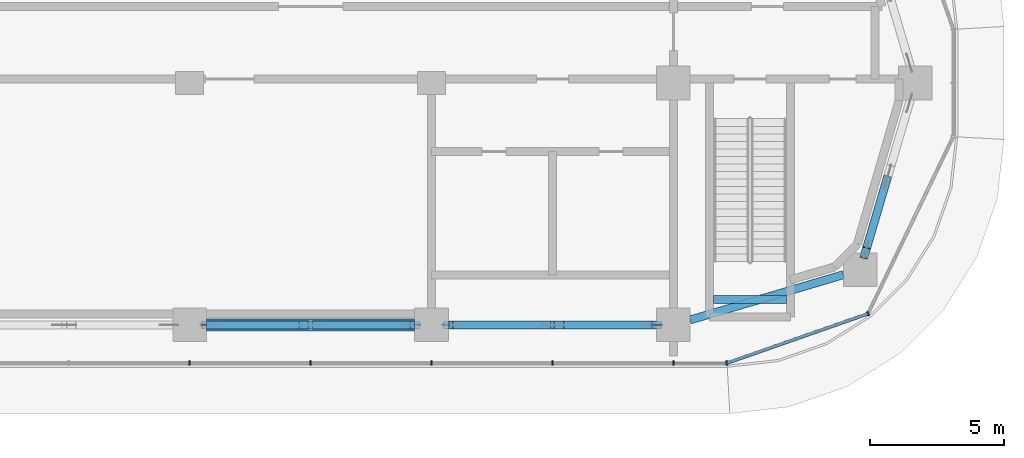
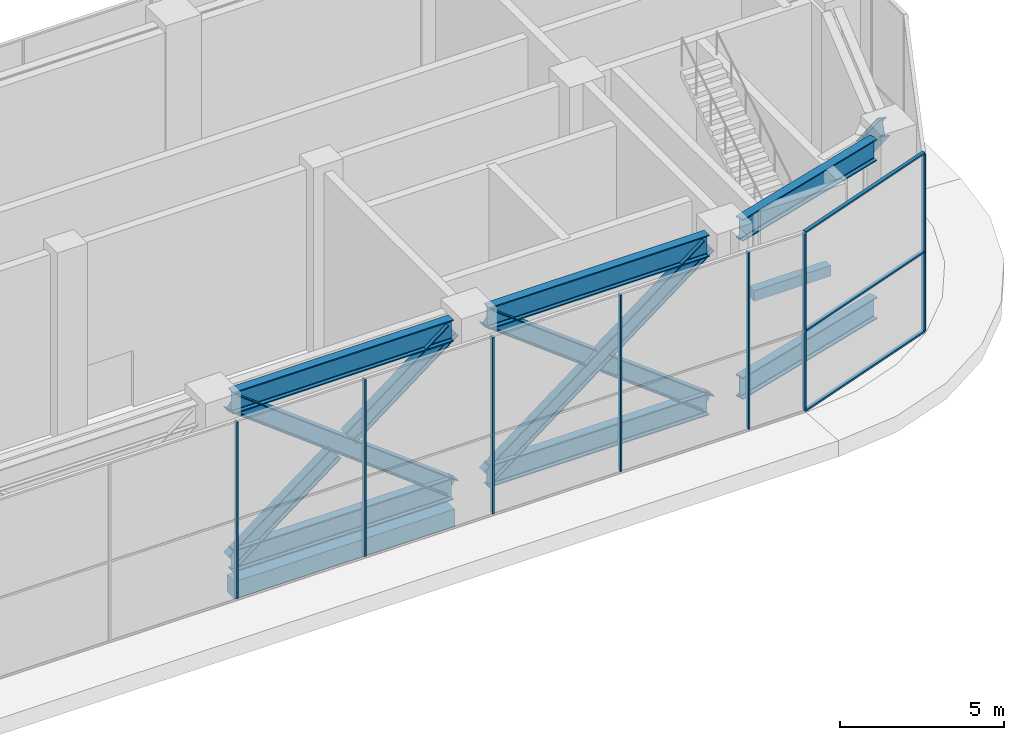
# One storey, part 7 of 35: 23 members, 2 beams, 2 elements without a shape of their own.
"""IFC4 building model written with IfcOpenShell, lengths in metres."""

from ifc_helpers import new_model, si_unit, direction, frame, origin, origin_2d, place, context, subcontext, project, spatial, rectangle, i_section, extrude, material, material_profile, profile_set, type_object, element, aggregate, save


model = new_model("IFC4")

# Units and contexts
model_context = context("Model", 3, precision=1e-05, world=origin(), true_north=direction((0.0, 1.0)))
body_context = subcontext(model_context, "Body", "Model", "MODEL_VIEW")
ifc_project = project(units=[si_unit("LENGTHUNIT", "METRE"), si_unit("AREAUNIT", "SQUARE_METRE"), si_unit("VOLUMEUNIT", "CUBIC_METRE"), si_unit("PLANEANGLEUNIT", "RADIAN"), si_unit("MASSUNIT", "GRAM", prefix="KILO")], contexts=[model_context])

# Site, building, storey
site_placement = place(None, origin())
site = spatial("IfcSite", under=ifc_project, at=site_placement, CompositionType="ELEMENT")
building_placement = place(site_placement, origin())
building = spatial("IfcBuilding", under=site, at=building_placement, Name="Ogive Portal Towers", CompositionType="ELEMENT")
storey_placement = place(building_placement, frame((0.0, 0.0, 135.199951171875)))
storey = spatial("IfcBuildingStorey", under=building, at=storey_placement, Name="L33", CompositionType="ELEMENT", Elevation=135.199951171875)

# Beam
ifc_material_1 = material(Name="Concrete C40/50", Category="concrete")
ifc_material_profile_1 = material_profile(ifc_material_1, rectangle(XDim=0.300048828125, YDim=0.39990234375, at=origin_2d()), Name="RC 300x400")
ifc_profile_set_1 = profile_set([ifc_material_profile_1], Name="Concrete C40/50")
beam_type_1 = type_object("IfcBeamType", Name="BEAM RC 300x400", PredefinedType="BEAM", material=ifc_profile_set_1)
beam_1_placement = place(storey_placement, frame((87.0, 22.449951171875, 3.10009765625), z_axis=(1.0, 0.0, 0.0), x_axis=(0.0, 1.0, 0.0)))
element("IfcBeam", 1, at=beam_1_placement, inside=storey, type_object=beam_type_1, Name="Landing beam L33", PredefinedType="BEAM", context=body_context, shape_type="SweptSolid", body=[
    extrude(rectangle(XDim=0.300048828125, YDim=0.39990234375, at=origin_2d()), origin(), (0.0, 0.0, 1.0), 2.699951171875),
])

# Members
ifc_material_2 = material(Name="Steel S355", Category="steel")
ifc_material_profile_2 = material_profile(ifc_material_2, i_section(OverallWidth=0.300048828125, OverallDepth=0.60009765625, WebThickness=0.015380859375, FlangeThickness=0.030029296875, FilletRadius=0.027099609375, at=origin_2d()), Name="HEB 600")
ifc_profile_set_2 = profile_set([ifc_material_profile_2], Name="Steel S355")
member_type_1 = type_object("IfcMemberType", Name="BRACE HEB 600", PredefinedType="BRACE", material=ifc_profile_set_2)
member_1_placement = place(storey_placement, frame((68.125, 21.5, 6.29296875), z_axis=(0.796360836966, 0.0, -0.604821806276), x_axis=(0.0, 1.0, 0.0)))
element("IfcMember", 2, at=member_1_placement, inside=storey, type_object=member_type_1, Name="Belt truss diagonal", PredefinedType="BRACE", context=body_context, shape_type="SweptSolid", body=[
    extrude(i_section(OverallWidth=0.300048828125, OverallDepth=0.60009765625, WebThickness=0.015380859375, FlangeThickness=0.030029296875, FilletRadius=0.027099609375, at=origin_2d()), origin(), (0.0, 0.0, 1.0), 9.731689453125),
])
for number, where, z_axis, x_axis, name in (
    (3, (68.125, 21.5, 0.406982421875), (0.796357381808, 0.0, 0.60482635561), (0.0, 1.0, 0.0), "Belt truss diagonal"),
    (4, (72.248046875, 21.5, 3.538330078125), (0.796357381808, 0.0, 0.60482635561), (0.0, 1.0, 0.0), "Belt truss diagonal"),
):
    element("IfcMember", number, at=place(storey_placement, frame(where, z_axis=z_axis, x_axis=x_axis)), inside=storey, type_object=member_type_1, Name=name, PredefinedType="BRACE", context=body_context, shape_type="SweptSolid", body=[
        extrude(i_section(OverallWidth=0.300048828125, OverallDepth=0.60009765625, WebThickness=0.015380859375, FlangeThickness=0.030029296875, FilletRadius=0.027099609375, at=origin_2d()), origin(), (0.0, 0.0, 1.0), 4.554443359375),
    ])
member_2_placement = place(storey_placement, frame((77.125, 21.5, 0.406982421875), z_axis=(0.796360836966, 0.0, 0.604821806276), x_axis=(0.0, 1.0, 0.0)))
element("IfcMember", 5, at=member_2_placement, inside=storey, type_object=member_type_1, Name="Belt truss diagonal", PredefinedType="BRACE", context=body_context, shape_type="SweptSolid", body=[
    extrude(i_section(OverallWidth=0.300048828125, OverallDepth=0.60009765625, WebThickness=0.015380859375, FlangeThickness=0.030029296875, FilletRadius=0.027099609375, at=origin_2d()), origin(), (0.0, 0.0, 1.0), 9.731689453125),
])
for number, where, z_axis, x_axis, name in (
    (6, (77.125, 21.5, 6.29296875), (0.796357381808, 0.0, -0.60482635561), (0.0, 1.0, 0.0), "Belt truss diagonal"),
    (7, (81.248046875, 21.5, 3.16162109375), (0.796357381808, 0.0, -0.60482635561), (0.0, 1.0, 0.0), "Belt truss diagonal"),
):
    element("IfcMember", number, at=place(storey_placement, frame(where, z_axis=z_axis, x_axis=x_axis)), inside=storey, type_object=member_type_1, Name=name, PredefinedType="BRACE", context=body_context, shape_type="SweptSolid", body=[
        extrude(i_section(OverallWidth=0.300048828125, OverallDepth=0.60009765625, WebThickness=0.015380859375, FlangeThickness=0.030029296875, FilletRadius=0.027099609375, at=origin_2d()), origin(), (0.0, 0.0, 1.0), 4.554443359375),
    ])
member_3_placement = place(storey_placement, frame((92.634521484375, 24.175048828125, 6.29296875), z_axis=(0.200990623129, 0.681456317967, -0.70371873367), x_axis=(-0.959150984364, 0.282894660948, 0.0)))
element("IfcMember", 8, at=member_3_placement, inside=storey, type_object=member_type_1, Name="Belt truss diagonal", PredefinedType="BRACE", context=body_context, shape_type="SweptSolid", body=[
    extrude(i_section(OverallWidth=0.300048828125, OverallDepth=0.60009765625, WebThickness=0.015380859375, FlangeThickness=0.030029296875, FilletRadius=0.027099609375, at=origin_2d()), origin(), (0.0, 0.0, 1.0), 3.882080078125),
])
ifc_material_profile_3 = material_profile(ifc_material_2, i_section(OverallWidth=0.302978515625, OverallDepth=0.81396484375, WebThickness=0.02099609375, FlangeThickness=0.0400390625, FilletRadius=0.030029296875, at=origin_2d()), Name="HEM 800")
ifc_profile_set_3 = profile_set([ifc_material_profile_3], Name="Steel S355")
member_type_2 = type_object("IfcMemberType", Name="CHORD HEM 800", PredefinedType="CHORD", material=ifc_profile_set_3)
for number, where, z_axis, x_axis, name in (
    (9, (68.125, 21.5, 0.406982421875), (1.0, 0.0, 0.0), (0.0, 1.0, 0.0), "Belt truss bottom chord"),
    (10, (68.125, 21.5, 6.29296875), (1.0, 0.0, 0.0), (0.0, 1.0, 0.0), "Belt truss top chord"),
    (11, (77.125, 21.5, 0.406982421875), (1.0, 0.0, 0.0), (0.0, 1.0, 0.0), "Belt truss bottom chord"),
    (12, (77.125, 21.5, 6.29296875), (1.0, 0.0, 0.0), (0.0, 1.0, 0.0), "Belt truss top chord"),
):
    element("IfcMember", number, at=place(storey_placement, frame(where, z_axis=z_axis, x_axis=x_axis)), inside=storey, type_object=member_type_2, Name=name, PredefinedType="CHORD", context=body_context, shape_type="SweptSolid", body=[
        extrude(i_section(OverallWidth=0.302978515625, OverallDepth=0.81396484375, WebThickness=0.02099609375, FlangeThickness=0.0400390625, FilletRadius=0.030029296875, at=origin_2d()), origin(), (0.0, 0.0, 1.0), 7.75),
    ])
for number, where, z_axis, x_axis, name in (
    (13, (86.125, 21.684326171875, 0.406982421875), (0.959151309441, 0.282893558779, 0.0), (-0.282893558779, 0.959151309441, 0.0), "Belt truss bottom chord"),
    (14, (86.125, 21.684326171875, 6.29296875), (0.959151309441, 0.282893558779, 0.0), (-0.282893558779, 0.959151309441, 0.0), "Belt truss top chord"),
):
    element("IfcMember", number, at=place(storey_placement, frame(where, z_axis=z_axis, x_axis=x_axis)), inside=storey, type_object=member_type_2, Name=name, PredefinedType="CHORD", context=body_context, shape_type="SweptSolid", body=[
        extrude(i_section(OverallWidth=0.302978515625, OverallDepth=0.81396484375, WebThickness=0.02099609375, FlangeThickness=0.0400390625, FilletRadius=0.030029296875, at=origin_2d()), origin(), (0.0, 0.0, 1.0), 5.942626953125),
    ])

# Curtain wall, members
ifc_material_3 = material(Name="Glass, clear low-iron insulated glazing", Category="glass")
curtain_wall_type = type_object("IfcCurtainWallType", Name="CW OBSERVATION WALL", PredefinedType="NOTDEFINED", material=ifc_material_3)
curtain_wall_1_placement = place(storey_placement, origin())
curtain_wall_1 = element("IfcCurtainWall", 15, at=curtain_wall_1_placement, inside=storey, type_object=curtain_wall_type, Name="A:L33:f06:cw0", PredefinedType="NOTDEFINED")
ifc_material_4 = material(Name="Aluminium 6063 anodised", Category="aluminium")
ifc_material_profile_4 = material_profile(ifc_material_4, rectangle(XDim=0.159912109375, YDim=0.06005859375, at=origin_2d()), Name="AL 60x160")
ifc_profile_set_4 = profile_set([ifc_material_profile_4], Name="Aluminium 6063 anodised")
member_type_3 = type_object("IfcMemberType", Name="CW MULLION 60x160", PredefinedType="MULLION", material=ifc_profile_set_4)
member_4_placement = place(storey_placement, frame((67.5, 20.080078125, 0.06005859375), z_axis=(0.0, 0.0, 1.0), x_axis=(0.0, 1.0, 0.0)))
member_4 = element("IfcMember", 16, at=member_4_placement, type_object=member_type_3, Name="mullion", PredefinedType="MULLION", context=body_context, shape_type="SweptSolid", body=[
    extrude(rectangle(XDim=0.159912109375, YDim=0.06005859375, at=origin_2d()), origin(), (0.0, 0.0, 1.0), 6.580078125),
])
member_5_placement = place(storey_placement, frame((72.0, 20.080078125, 0.06005859375), z_axis=(0.0, 0.0, 1.0), x_axis=(0.0, 1.0, 0.0)))
member_5 = element("IfcMember", 17, at=member_5_placement, type_object=member_type_3, Name="mullion", PredefinedType="MULLION", context=body_context, shape_type="SweptSolid", body=[
    extrude(rectangle(XDim=0.159912109375, YDim=0.06005859375, at=origin_2d()), origin(), (0.0, 0.0, 1.0), 6.580078125),
])
member_6_placement = place(storey_placement, frame((76.5, 20.080078125, 0.06005859375), z_axis=(0.0, 0.0, 1.0), x_axis=(0.0, 1.0, 0.0)))
member_6 = element("IfcMember", 18, at=member_6_placement, type_object=member_type_3, Name="mullion", PredefinedType="MULLION", context=body_context, shape_type="SweptSolid", body=[
    extrude(rectangle(XDim=0.159912109375, YDim=0.06005859375, at=origin_2d()), origin(), (0.0, 0.0, 1.0), 6.580078125),
])
member_7_placement = place(storey_placement, frame((81.0, 20.080078125, 0.06005859375), z_axis=(0.0, 0.0, 1.0), x_axis=(0.0, 1.0, 0.0)))
member_7 = element("IfcMember", 19, at=member_7_placement, type_object=member_type_3, Name="mullion", PredefinedType="MULLION", context=body_context, shape_type="SweptSolid", body=[
    extrude(rectangle(XDim=0.159912109375, YDim=0.06005859375, at=origin_2d()), origin(), (0.0, 0.0, 1.0), 6.580078125),
])
member_8_placement = place(storey_placement, frame((85.5, 20.080078125, 0.06005859375), z_axis=(0.0, 0.0, 1.0), x_axis=(0.0, 1.0, 0.0)))
member_8 = element("IfcMember", 20, at=member_8_placement, type_object=member_type_3, Name="mullion", PredefinedType="MULLION", context=body_context, shape_type="SweptSolid", body=[
    extrude(rectangle(XDim=0.159912109375, YDim=0.06005859375, at=origin_2d()), origin(), (0.0, 0.0, 1.0), 6.580078125),
])
member_9_placement = place(storey_placement, frame((87.486328125, 20.080078125, 0.06005859375), z_axis=(0.0, 0.0, 1.0), x_axis=(0.0, 1.0, 0.0)))
member_9 = element("IfcMember", 21, at=member_9_placement, type_object=member_type_3, Name="mullion", PredefinedType="MULLION", context=body_context, shape_type="SweptSolid", body=[
    extrude(rectangle(XDim=0.159912109375, YDim=0.06005859375, at=origin_2d()), origin(), (0.0, 0.0, 1.0), 6.580078125),
])
aggregate(curtain_wall_1, [member_4, member_5, member_6, member_7, member_8, member_9])

curtain_wall_2_placement = place(storey_placement, origin())
curtain_wall_2 = element("IfcCurtainWall", 22, at=curtain_wall_2_placement, inside=storey, type_object=curtain_wall_type, Name="A:L33:f07:cwa", PredefinedType="NOTDEFINED")
member_10_placement = place(storey_placement, frame((92.741943359375, 21.9189453125, 0.06005859375), z_axis=(0.0, 0.0, 1.0), x_axis=(-0.33027906196, 0.943883330307, 0.0)))
member_10 = element("IfcMember", 23, at=member_10_placement, type_object=member_type_3, Name="mullion", PredefinedType="MULLION", context=body_context, shape_type="SweptSolid", body=[
    extrude(rectangle(XDim=0.159912109375, YDim=0.06005859375, at=origin_2d()), origin(), (0.0, 0.0, 1.0), 6.580078125),
])
ifc_material_profile_5 = material_profile(ifc_material_4, rectangle(XDim=0.1201171875, YDim=0.06005859375, at=origin_2d()), Name="AL 120x60")
ifc_profile_set_5 = profile_set([ifc_material_profile_5], Name="Aluminium 6063 anodised")
member_type_4 = type_object("IfcMemberType", Name="CW TRANSOM 60x120", PredefinedType="USERDEFINED", material=ifc_profile_set_5)
member_11_placement = place(storey_placement, frame((87.486328125, 20.080078125, 0.030029296875), z_axis=(0.943891847017, 0.330254721593, 0.0), x_axis=(-0.330254721593, 0.943891847017, 0.0)))
member_11 = element("IfcMember", 24, at=member_11_placement, type_object=member_type_4, Name="transom", ObjectType="TRANSOM", PredefinedType="USERDEFINED", context=body_context, shape_type="SweptSolid", body=[
    extrude(rectangle(XDim=0.1201171875, YDim=0.06005859375, at=origin_2d()), origin(), (0.0, 0.0, 1.0), 5.568115234375),
])
member_12_placement = place(storey_placement, frame((87.486328125, 20.080078125, 3.0), z_axis=(0.943891847017, 0.330254721593, 0.0), x_axis=(-0.330254721593, 0.943891847017, 0.0)))
member_12 = element("IfcMember", 25, at=member_12_placement, type_object=member_type_4, Name="transom", ObjectType="TRANSOM", PredefinedType="USERDEFINED", context=body_context, shape_type="SweptSolid", body=[
    extrude(rectangle(XDim=0.1201171875, YDim=0.06005859375, at=origin_2d()), origin(), (0.0, 0.0, 1.0), 5.568115234375),
])
member_13_placement = place(storey_placement, frame((87.486328125, 20.080078125, 6.670166015625), z_axis=(0.943891847017, 0.330254721593, 0.0), x_axis=(-0.330254721593, 0.943891847017, 0.0)))
member_13 = element("IfcMember", 26, at=member_13_placement, type_object=member_type_4, Name="transom", ObjectType="TRANSOM", PredefinedType="USERDEFINED", context=body_context, shape_type="SweptSolid", body=[
    extrude(rectangle(XDim=0.1201171875, YDim=0.06005859375, at=origin_2d()), origin(), (0.0, 0.0, 1.0), 5.568115234375),
])
aggregate(curtain_wall_2, [member_11, member_12, member_13, member_10])

# Beam
ifc_material_5 = material(Name="Concrete C50/60", Category="concrete")
ifc_material_profile_6 = material_profile(ifc_material_5, rectangle(XDim=0.449951171875, YDim=0.64990234375, at=origin_2d()), Name="RC 450x650")
ifc_profile_set_6 = profile_set([ifc_material_profile_6], Name="Concrete C50/60")
beam_type_2 = type_object("IfcBeamType", Name="SPANDREL BEAM RC 450x650", PredefinedType="BEAM", material=ifc_profile_set_6)
beam_2_placement = place(storey_placement, frame((75.875, 21.5, -0.625), z_axis=(-1.0, 0.0, 0.0), x_axis=(0.0, -1.0, 0.0)))
element("IfcBeam", 27, at=beam_2_placement, inside=storey, type_object=beam_type_2, Name="Spandrel beam L33", PredefinedType="BEAM", context=body_context, shape_type="SweptSolid", body=[
    extrude(rectangle(XDim=0.449951171875, YDim=0.64990234375, at=origin_2d()), origin(), (0.0, 0.0, 1.0), 7.75),
])

save(model, "model.ifc")
